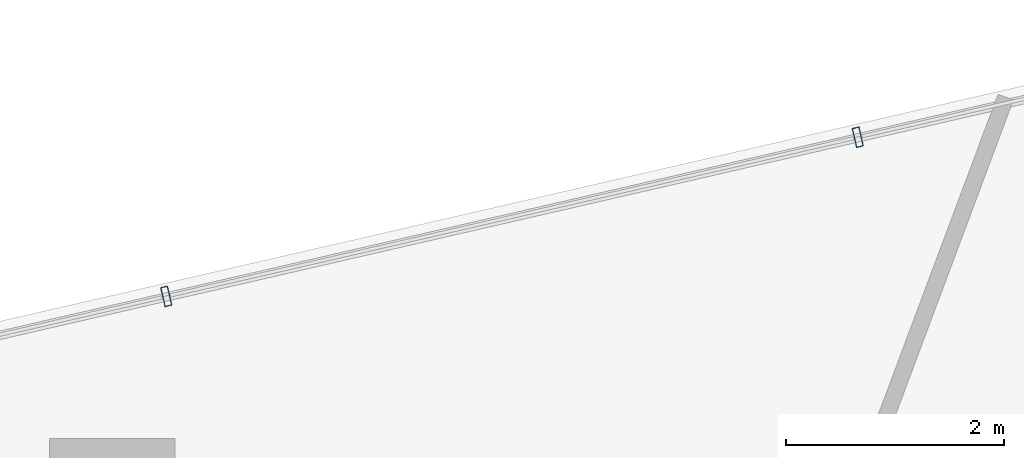
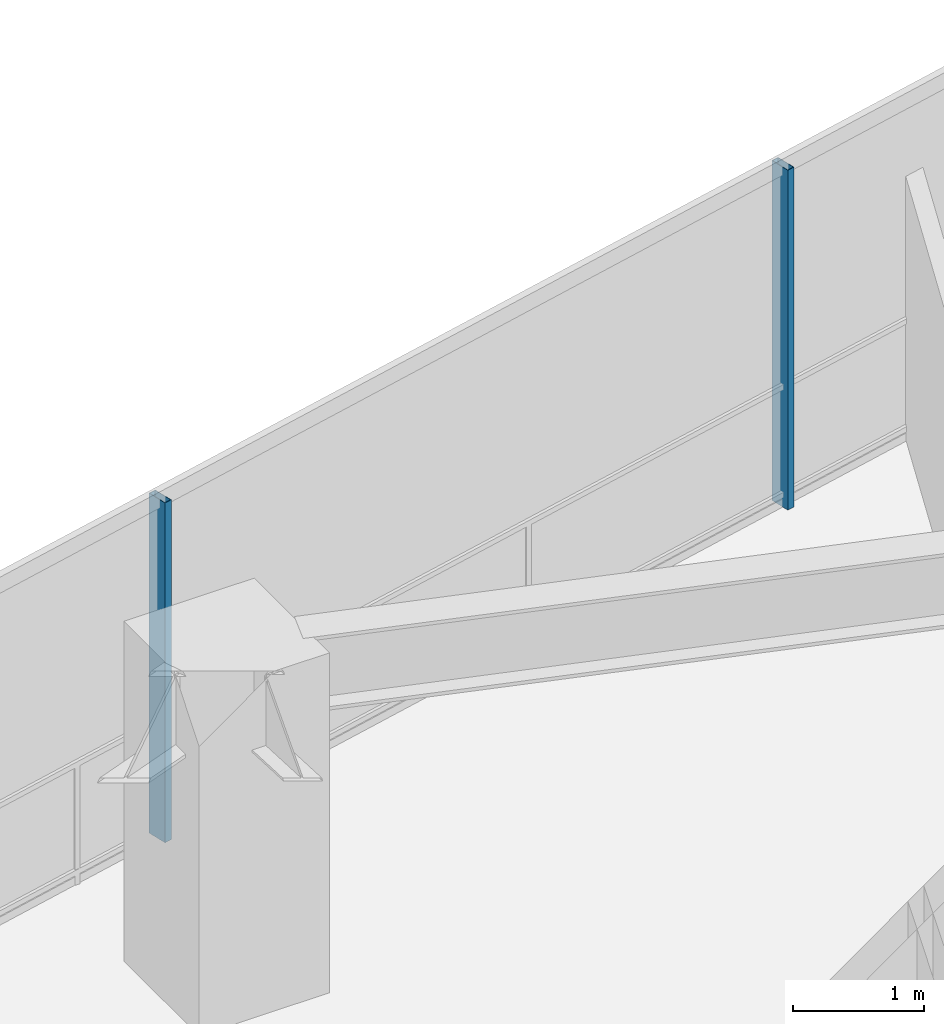
# One storey, part 15 of 23: 2 members, 1 element without a shape of its own.
"""IFC4 building model written with IfcOpenShell, lengths in metres."""

from ifc_helpers import new_model, si_unit, direction, frame, origin, origin_2d, place, context, subcontext, project, spatial, hollow_rectangle, extrude, material, layer, layer_set, material_profile, profile_set, type_object, element, aggregate, save


model = new_model("IFC4")

# Units and contexts
model_context = context("Model", 3, precision=1e-05, world=origin(), true_north=direction((0.0, 1.0)))
body_context = subcontext(model_context, "Body", "Model", "MODEL_VIEW")
ifc_project = project(units=[si_unit("LENGTHUNIT", "METRE"), si_unit("AREAUNIT", "SQUARE_METRE"), si_unit("VOLUMEUNIT", "CUBIC_METRE"), si_unit("PLANEANGLEUNIT", "RADIAN"), si_unit("MASSUNIT", "GRAM", prefix="KILO")], contexts=[model_context])

# Site, building, storey
site_placement = place(None, origin())
site = spatial("IfcSite", under=ifc_project, at=site_placement, CompositionType="ELEMENT")
building_placement = place(site_placement, origin())
building = spatial("IfcBuilding", under=site, at=building_placement, Name="Qarnah Convention Tower", CompositionType="ELEMENT")
storey_placement = place(building_placement, frame((0.0, 0.0, 114.300048828125)))
storey = spatial("IfcBuildingStorey", under=building, at=storey_placement, Name="L30", CompositionType="ELEMENT", Elevation=114.300048828125)

# Curtain wall, members
ifc_material_1 = material(Name="Tempered Low-E dark glass", Category="glass")
ifc_layer = layer(ifc_material_1, 0.169921875)
ifc_layer_set = layer_set([ifc_layer], Name="Tempered Low-E dark glass")
curtain_wall_type = type_object("IfcCurtainWallType", Name="CWS-02", PredefinedType="NOTDEFINED", material=ifc_layer_set)
curtain_wall_placement = place(storey_placement, origin())
curtain_wall = element("IfcCurtainWall", 1, at=curtain_wall_placement, inside=storey, type_object=curtain_wall_type, Name="L30 unitised curtain wall CW-L30-F3", PredefinedType="NOTDEFINED")
ifc_material_2 = material(Name="Black anodised aluminium", Category="aluminium")
ifc_material_profile = material_profile(ifc_material_2, hollow_rectangle(XDim=0.06494140625, YDim=0.179931640625, WallThickness=0.00390625, at=origin_2d()), Name="MUL-65X180")
ifc_profile_set = profile_set([ifc_material_profile], Name="Black anodised aluminium")
member_type = type_object("IfcMemberType", Name="MUL-T2", PredefinedType="MULLION", material=ifc_profile_set)
member_1_placement = place(storey_placement, frame((37.15087890625, 43.917236328125, 0.0), z_axis=(0.0, 0.0, 1.0), x_axis=(0.974522187201, 0.224291120317, 0.0)))
member_1 = element("IfcMember", 2, at=member_1_placement, type_object=member_type, Name="CW-L30-F3 mullion 4", PredefinedType="MULLION", context=body_context, shape_type="SweptSolid", body=[
    extrude(hollow_rectangle(XDim=0.06494140625, YDim=0.179931640625, WallThickness=0.00390625, at=origin_2d()), origin(), (0.0, 0.0, 1.0), 3.169921875),
])
member_2_placement = place(storey_placement, frame((43.4873046875, 45.37548828125, 0.0), z_axis=(0.0, 0.0, 1.0), x_axis=(0.974522187201, 0.224291120317, 0.0)))
member_2 = element("IfcMember", 3, at=member_2_placement, type_object=member_type, Name="CW-L30-F3 mullion 5", PredefinedType="MULLION", context=body_context, shape_type="SweptSolid", body=[
    extrude(hollow_rectangle(XDim=0.06494140625, YDim=0.179931640625, WallThickness=0.00390625, at=origin_2d()), origin(), (0.0, 0.0, 1.0), 3.169921875),
])
aggregate(curtain_wall, [member_1, member_2])

save(model, "model.ifc")
